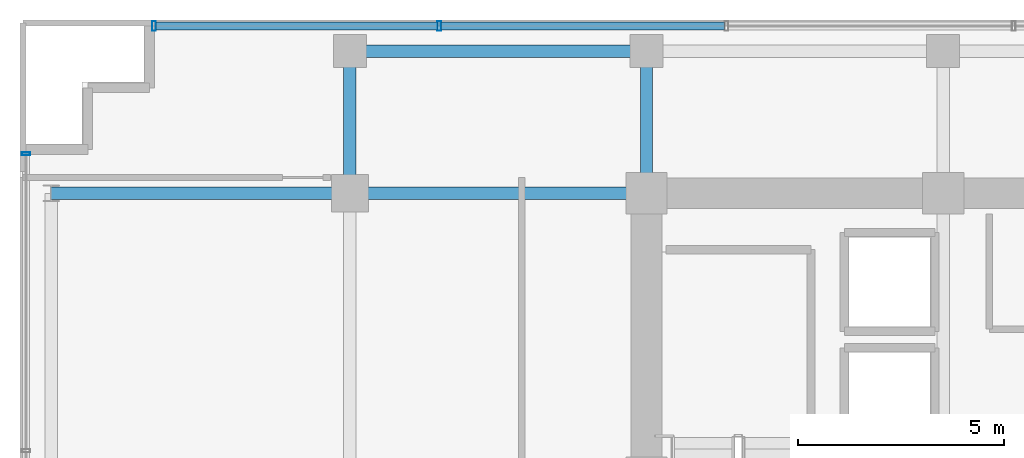
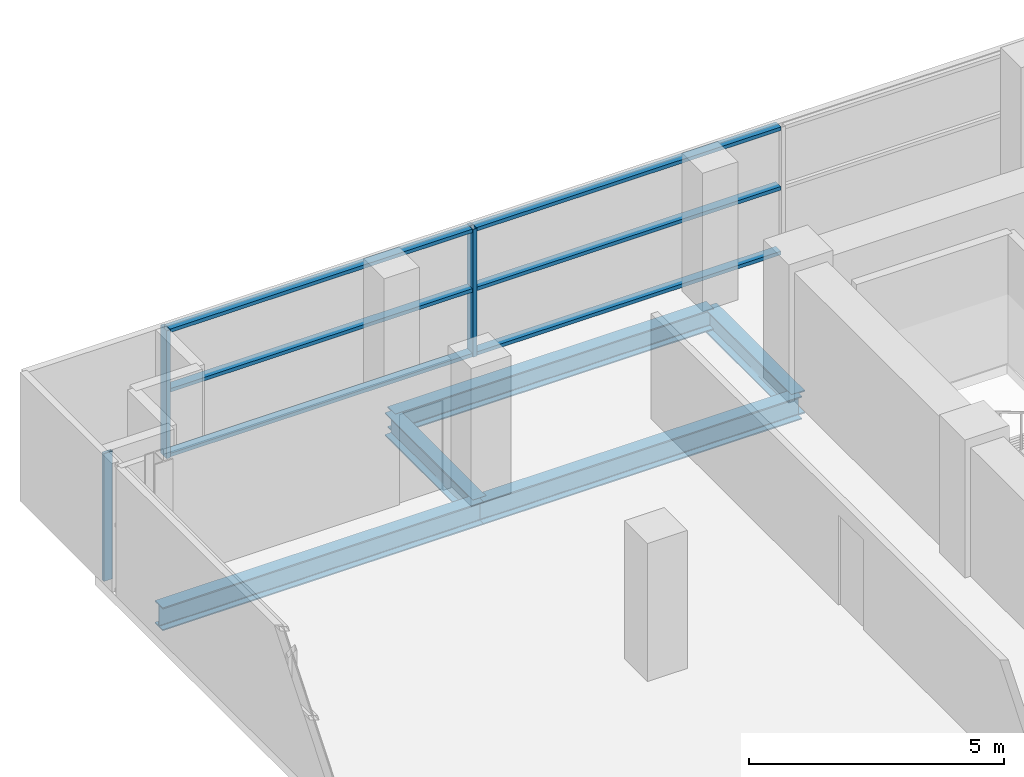
# One storey, part 14 of 25: 9 members, 5 beams, 2 elements without a shape of their own.
"""IFC4 building model written with IfcOpenShell, lengths in metres."""

from ifc_helpers import new_model, si_unit, direction, frame, origin, origin_2d, place, context, subcontext, project, spatial, hollow_rectangle, i_section, extrude, source, transform, mapped, material, layer, layer_set, material_profile, profile_set, type_object, element, aggregate, save


model = new_model("IFC4")

# Units and contexts
model_context = context("Model", 3, precision=1e-05, world=origin(), true_north=direction((0.0, 1.0)))
body_context = subcontext(model_context, "Body", "Model", "MODEL_VIEW")
ifc_project = project(units=[si_unit("LENGTHUNIT", "METRE"), si_unit("AREAUNIT", "SQUARE_METRE"), si_unit("VOLUMEUNIT", "CUBIC_METRE"), si_unit("PLANEANGLEUNIT", "RADIAN"), si_unit("MASSUNIT", "GRAM", prefix="KILO")], contexts=[model_context])

# Site, building, storey
site_placement = place(None, origin())
site = spatial("IfcSite", under=ifc_project, at=site_placement, CompositionType="ELEMENT")
building_placement = place(site_placement, origin())
building = spatial("IfcBuilding", under=site, at=building_placement, Name="Zarnakvel Exchange Tower", CompositionType="ELEMENT")
storey_placement = place(building_placement, frame((0.0, 0.0, 93.39990234375)))
storey = spatial("IfcBuildingStorey", under=building, at=storey_placement, Name="L25", CompositionType="ELEMENT", Elevation=93.39990234375)

# Beams
ifc_material_1 = material(Name="Steel S355", Category="steel")
ifc_material_profile_1 = material_profile(ifc_material_1, i_section(OverallWidth=0.300048828125, OverallDepth=0.550048828125, WebThickness=0.014892578125, FlangeThickness=0.029052734375, FilletRadius=0.027099609375, at=origin_2d()))
ifc_profile_set_1 = profile_set([ifc_material_profile_1], Name="Steel S355")
beam_type_1 = type_object("IfcBeamType", Name="G-05", PredefinedType="BEAM", material=ifc_profile_set_1)
beam_1_placement = place(storey_placement, frame((-28.85009765625, 13.5, -0.5), z_axis=(1.0, 0.0, 0.0), x_axis=(0.0, 1.0, 0.0)))
element("IfcBeam", 1, at=beam_1_placement, inside=storey, type_object=beam_type_1, Name="L25 Tower E-W Frame Beam", PredefinedType="BEAM", context=body_context, shape_type="SweptSolid", body=[
    extrude(i_section(OverallWidth=0.300048828125, OverallDepth=0.550048828125, WebThickness=0.014892578125, FlangeThickness=0.029052734375, FilletRadius=0.027099609375, at=origin_2d()), origin(), (0.0, 0.0, 1.0), 7.25),
])
beam_2_placement = place(storey_placement, frame((-21.60009765625, 13.5, -0.5), z_axis=(1.0, 0.0, 0.0), x_axis=(0.0, 1.0, 0.0)))
element("IfcBeam", 2, at=beam_2_placement, inside=storey, type_object=beam_type_1, Name="L25 Tower E-W Frame Beam", PredefinedType="BEAM", context=body_context, shape_type="SweptSolid", body=[
    extrude(i_section(OverallWidth=0.300048828125, OverallDepth=0.550048828125, WebThickness=0.014892578125, FlangeThickness=0.029052734375, FilletRadius=0.027099609375, at=origin_2d()), origin(), (0.0, 0.0, 1.0), 7.2001953125),
])
for number, where, z_axis, x_axis, name in (
    (3, (-21.60009765625, 13.5, -0.5), (0.0, 1.0, 0.0), (-1.0, 0.0, 0.0), "L25 Tower N-S Frame Beam"),
    (4, (-14.39990234375, 13.5, -0.5), (0.0, 1.0, 0.0), (-1.0, 0.0, 0.0), "L25 Tower N-S Frame Beam"),
):
    element("IfcBeam", number, at=place(storey_placement, frame(where, z_axis=z_axis, x_axis=x_axis)), inside=storey, type_object=beam_type_1, Name=name, PredefinedType="BEAM", context=body_context, shape_type="SweptSolid", body=[
        extrude(i_section(OverallWidth=0.300048828125, OverallDepth=0.550048828125, WebThickness=0.014892578125, FlangeThickness=0.029052734375, FilletRadius=0.027099609375, at=origin_2d()), origin(), (0.0, 0.0, 1.0), 3.449951171875),
    ])
ifc_material_profile_2 = material_profile(ifc_material_1, i_section(OverallWidth=0.300048828125, OverallDepth=0.5, WebThickness=0.014404296875, FlangeThickness=0.028076171875, FilletRadius=0.027099609375, at=origin_2d()))
ifc_profile_set_2 = profile_set([ifc_material_profile_2], Name="Steel S355")
beam_type_2 = type_object("IfcBeamType", Name="SP-02", PredefinedType="SPANDREL", material=ifc_profile_set_2)
beam_3_placement = place(storey_placement, frame((-21.60009765625, 16.949951171875, -0.474853515625), z_axis=(1.0, 0.0, 0.0), x_axis=(0.0, 1.0, 0.0)))
element("IfcBeam", 5, at=beam_3_placement, inside=storey, type_object=beam_type_2, Name="L25 Tower E-W Frame Beam", PredefinedType="SPANDREL", context=body_context, shape_type="SweptSolid", body=[
    extrude(i_section(OverallWidth=0.300048828125, OverallDepth=0.5, WebThickness=0.014404296875, FlangeThickness=0.028076171875, FilletRadius=0.027099609375, at=origin_2d()), origin(), (0.0, 0.0, 1.0), 7.2001953125),
])

# Curtain wall, members
ifc_material_2 = material(Name="Architectural Bronze Anodised Aluminium", Category="aluminium")
ifc_layer_1 = layer(ifc_material_2, 0.239990234375)
ifc_layer_set_1 = layer_set([ifc_layer_1], Name="Architectural Bronze Anodised Aluminium")
curtain_wall_type_1 = type_object("IfcCurtainWallType", Name="CW-02", PredefinedType="NOTDEFINED", material=ifc_layer_set_1)
curtain_wall_1_placement = place(storey_placement, origin())
curtain_wall_1 = element("IfcCurtainWall", 6, at=curtain_wall_1_placement, inside=storey, type_object=curtain_wall_type_1, Name="L25 Curtain Wall CW-L25-N1 (CW-02)", PredefinedType="NOTDEFINED")
ifc_material_profile_3 = material_profile(ifc_material_2, hollow_rectangle(XDim=0.239990234375, YDim=0.090087890625, WallThickness=0.006103515625, at=origin_2d()))
ifc_profile_set_3 = profile_set([ifc_material_profile_3], Name="Architectural Bronze Anodised Aluminium")
member_type_1 = type_object("IfcMemberType", Name="CWM-02", PredefinedType="MULLION", material=ifc_profile_set_3)
shared_shape_1 = source(origin(), body_context, "Body", "SweptSolid", [
    extrude(hollow_rectangle(XDim=0.239990234375, YDim=0.090087890625, WallThickness=0.006103515625, at=origin_2d()), origin(), (0.0, 0.0, 1.0), 3.05517578125),
])
member_1_placement = place(storey_placement, frame((-26.35498046875, 17.56005859375, 0.0), z_axis=(0.0, 0.0, 1.0), x_axis=(0.0, 1.0, 0.0)))
member_1 = element("IfcMember", 7, at=member_1_placement, type_object=member_type_1, Name="CW-02 mullion 1", PredefinedType="MULLION", context=body_context, shape_type="MappedRepresentation", body=[
    mapped(shared_shape_1, transform((0.0, 0.0, 0.0), x_axis=(1.0, 0.0, 0.0), y_axis=(0.0, 1.0, 0.0), z_axis=(0.0, 0.0, 1.0), scale=1.0)),
])
member_2_placement = place(storey_placement, frame((-19.428466796875, 17.56005859375, 0.0), z_axis=(0.0, 0.0, 1.0), x_axis=(0.0, 1.0, 0.0)))
member_2 = element("IfcMember", 8, at=member_2_placement, type_object=member_type_1, Name="CW-02 mullion 2", PredefinedType="MULLION", context=body_context, shape_type="MappedRepresentation", body=[
    mapped(shared_shape_1, transform((0.0, 0.0, 0.0), x_axis=(1.0, 0.0, 0.0), y_axis=(0.0, 1.0, 0.0), z_axis=(0.0, 0.0, 1.0), scale=1.0)),
])

# Curtain wall, member
ifc_layer_2 = layer(ifc_material_2, 0.199951171875)
ifc_layer_set_2 = layer_set([ifc_layer_2], Name="Architectural Bronze Anodised Aluminium")
curtain_wall_type_2 = type_object("IfcCurtainWallType", Name="CW-04", PredefinedType="NOTDEFINED", material=ifc_layer_set_2)
curtain_wall_2_placement = place(storey_placement, origin())
curtain_wall_2 = element("IfcCurtainWall", 9, at=curtain_wall_2_placement, inside=storey, type_object=curtain_wall_type_2, Name="L25 Curtain Wall CW-L25-W1 (CW-04)", PredefinedType="NOTDEFINED")
ifc_material_profile_4 = material_profile(ifc_material_2, hollow_rectangle(XDim=0.199951171875, YDim=0.074951171875, WallThickness=0.0048828125, at=origin_2d()))
ifc_profile_set_4 = profile_set([ifc_material_profile_4], Name="Architectural Bronze Anodised Aluminium")
member_type_2 = type_object("IfcMemberType", Name="CWM-04", PredefinedType="MULLION", material=ifc_profile_set_4)
shared_shape_2 = source(origin(), body_context, "Body", "SweptSolid", [
    extrude(hollow_rectangle(XDim=0.199951171875, YDim=0.074951171875, WallThickness=0.0048828125, at=origin_2d()), origin(), (0.0, 0.0, 1.0), 3.05517578125),
])
member_3_placement = place(storey_placement, frame((-29.4599609375, 14.46240234375, 0.0), z_axis=(0.0, 0.0, 1.0), x_axis=(-1.0, 0.0, 0.0)))
member_3 = element("IfcMember", 10, at=member_3_placement, type_object=member_type_2, Name="CW-04 mullion 5", PredefinedType="MULLION", context=body_context, shape_type="MappedRepresentation", body=[
    mapped(shared_shape_2, transform((0.0, 0.0, 0.0), x_axis=(1.0, 0.0, 0.0), y_axis=(0.0, 1.0, 0.0), z_axis=(0.0, 0.0, 1.0), scale=1.0)),
])
aggregate(curtain_wall_2, [member_3])

# Member
ifc_material_profile_5 = material_profile(ifc_material_2, hollow_rectangle(XDim=0.199951171875, YDim=0.0849609375, WallThickness=0.0048828125, at=origin_2d()))
ifc_profile_set_5 = profile_set([ifc_material_profile_5], Name="Architectural Bronze Anodised Aluminium")
member_type_3 = type_object("IfcMemberType", Name="CWT-02", PredefinedType="USERDEFINED", material=ifc_profile_set_5)
shared_shape_3 = source(origin(), body_context, "Body", "SweptSolid", [
    extrude(hollow_rectangle(XDim=0.199951171875, YDim=0.0849609375, WallThickness=0.0048828125, at=origin_2d()), origin(), (0.0, 0.0, 1.0), 6.83642578125),
])
member_4_placement = place(storey_placement, frame((-26.31005859375, 17.56005859375, 0.04248046875), z_axis=(1.0, 0.0, 0.0), x_axis=(0.0, 1.0, 0.0)))
member_4 = element("IfcMember", 11, at=member_4_placement, type_object=member_type_3, Name="CW-02 transom 1.1", ObjectType="TRANSOM", PredefinedType="USERDEFINED", context=body_context, shape_type="MappedRepresentation", body=[
    mapped(shared_shape_3, transform((0.0, 0.0, 0.0), x_axis=(1.0, 0.0, 0.0), y_axis=(0.0, 1.0, 0.0), z_axis=(0.0, 0.0, 1.0), scale=1.0)),
])

member_5_placement = place(storey_placement, frame((-26.31005859375, 17.56005859375, 1.588623046875), z_axis=(1.0, 0.0, 0.0), x_axis=(0.0, 1.0, 0.0)))
member_5 = element("IfcMember", 12, at=member_5_placement, type_object=member_type_3, Name="CW-02 transom 1.2", ObjectType="TRANSOM", PredefinedType="USERDEFINED", context=body_context, shape_type="MappedRepresentation", body=[
    mapped(shared_shape_3, transform((0.0, 0.0, 0.0), x_axis=(1.0, 0.0, 0.0), y_axis=(0.0, 1.0, 0.0), z_axis=(0.0, 0.0, 1.0), scale=1.0)),
])

member_6_placement = place(storey_placement, frame((-26.31005859375, 17.56005859375, 3.0126953125), z_axis=(1.0, 0.0, 0.0), x_axis=(0.0, 1.0, 0.0)))
member_6 = element("IfcMember", 13, at=member_6_placement, type_object=member_type_3, Name="CW-02 transom 1.3", ObjectType="TRANSOM", PredefinedType="USERDEFINED", context=body_context, shape_type="MappedRepresentation", body=[
    mapped(shared_shape_3, transform((0.0, 0.0, 0.0), x_axis=(1.0, 0.0, 0.0), y_axis=(0.0, 1.0, 0.0), z_axis=(0.0, 0.0, 1.0), scale=1.0)),
])

shared_shape_4 = source(origin(), body_context, "Body", "SweptSolid", [
    extrude(hollow_rectangle(XDim=0.199951171875, YDim=0.0849609375, WallThickness=0.0048828125, at=origin_2d()), origin(), (0.0, 0.0, 1.0), 6.88134765625),
])
member_7_placement = place(storey_placement, frame((-19.383544921875, 17.56005859375, 0.04248046875), z_axis=(1.0, 0.0, 0.0), x_axis=(0.0, 1.0, 0.0)))
member_7 = element("IfcMember", 14, at=member_7_placement, type_object=member_type_3, Name="CW-02 transom 2.1", ObjectType="TRANSOM", PredefinedType="USERDEFINED", context=body_context, shape_type="MappedRepresentation", body=[
    mapped(shared_shape_4, transform((0.0, 0.0, 0.0), x_axis=(1.0, 0.0, 0.0), y_axis=(0.0, 1.0, 0.0), z_axis=(0.0, 0.0, 1.0), scale=1.0)),
])

member_8_placement = place(storey_placement, frame((-19.383544921875, 17.56005859375, 1.588623046875), z_axis=(1.0, 0.0, 0.0), x_axis=(0.0, 1.0, 0.0)))
member_8 = element("IfcMember", 15, at=member_8_placement, type_object=member_type_3, Name="CW-02 transom 2.2", ObjectType="TRANSOM", PredefinedType="USERDEFINED", context=body_context, shape_type="MappedRepresentation", body=[
    mapped(shared_shape_4, transform((0.0, 0.0, 0.0), x_axis=(1.0, 0.0, 0.0), y_axis=(0.0, 1.0, 0.0), z_axis=(0.0, 0.0, 1.0), scale=1.0)),
])

member_9_placement = place(storey_placement, frame((-19.383544921875, 17.56005859375, 3.0126953125), z_axis=(1.0, 0.0, 0.0), x_axis=(0.0, 1.0, 0.0)))
member_9 = element("IfcMember", 16, at=member_9_placement, type_object=member_type_3, Name="CW-02 transom 2.3", ObjectType="TRANSOM", PredefinedType="USERDEFINED", context=body_context, shape_type="MappedRepresentation", body=[
    mapped(shared_shape_4, transform((0.0, 0.0, 0.0), x_axis=(1.0, 0.0, 0.0), y_axis=(0.0, 1.0, 0.0), z_axis=(0.0, 0.0, 1.0), scale=1.0)),
])

aggregate(curtain_wall_1, [member_1, member_2, member_4, member_5, member_6, member_7, member_8, member_9])

save(model, "model.ifc")
